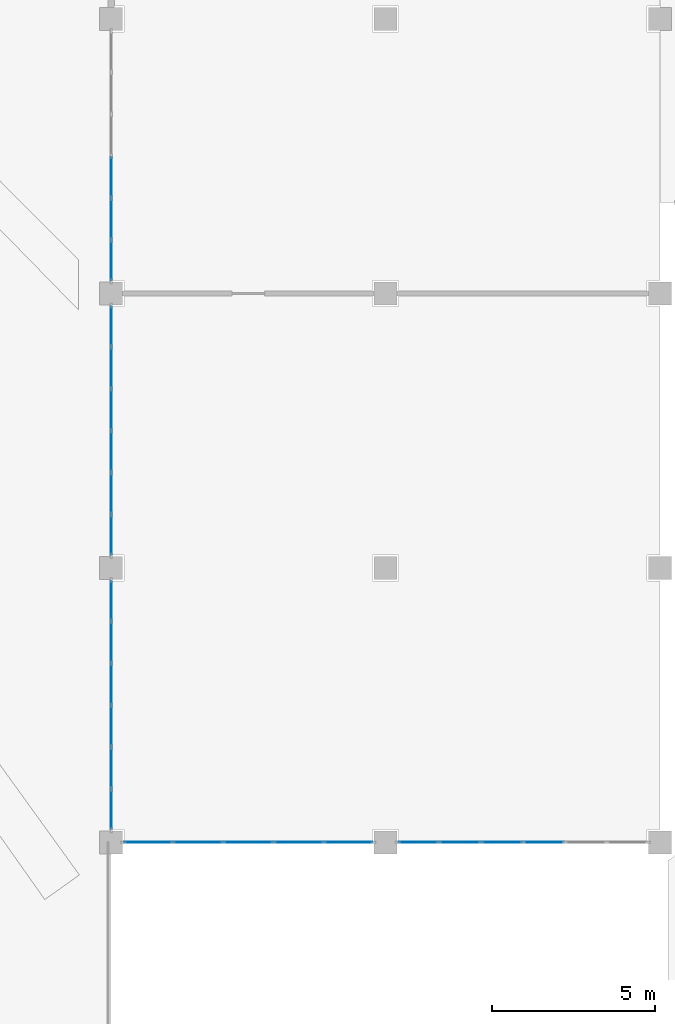
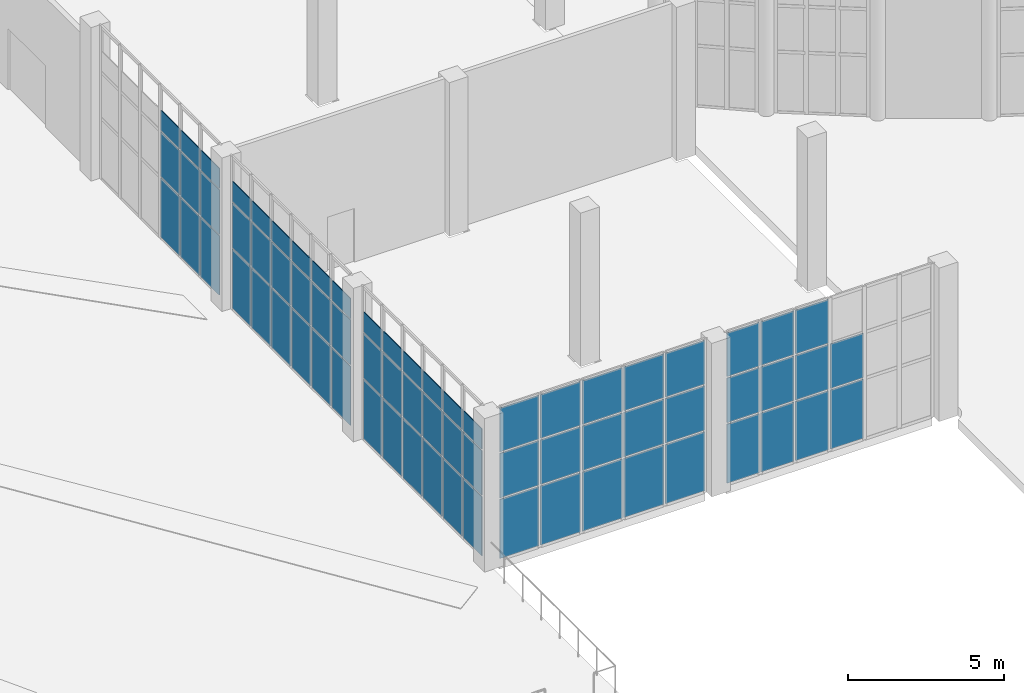
# One storey, part 83 of 210: 71 plates, 5 elements without a shape of their own.
"""IFC4 building model written with IfcOpenShell, lengths in metres."""

from ifc_helpers import new_model, si_unit, direction, frame, origin, origin_2d, place, context, subcontext, project, spatial, rectangle, extrude, material, layer, layer_set, type_object, element, aggregate, save


model = new_model("IFC4")

# Units and contexts
model_context = context("Model", 3, precision=1e-05, world=origin(), true_north=direction((0.0, 1.0)))
body_context = subcontext(model_context, "Body", "Model", "MODEL_VIEW")
ifc_project = project(units=[si_unit("LENGTHUNIT", "METRE"), si_unit("AREAUNIT", "SQUARE_METRE"), si_unit("VOLUMEUNIT", "CUBIC_METRE"), si_unit("PLANEANGLEUNIT", "RADIAN"), si_unit("MASSUNIT", "GRAM", prefix="KILO")], contexts=[model_context])

# Site, building, storey
site_placement = place(None, origin())
site = spatial("IfcSite", under=ifc_project, at=site_placement, CompositionType="ELEMENT")
building_placement = place(site_placement, origin())
building = spatial("IfcBuilding", under=site, at=building_placement, Name="Rain Tree Exposition and Congress Centre", CompositionType="ELEMENT")
storey_placement = place(building_placement, origin())
storey = spatial("IfcBuildingStorey", under=building, at=storey_placement, Name="L00", CompositionType="ELEMENT", Elevation=0.0)

# Curtain wall, plates
ifc_material_1 = material(Name="Aluminium", Category="aluminium")
ifc_layer_1 = layer(ifc_material_1, 0.10009765625)
ifc_layer_set_1 = layer_set([ifc_layer_1], Name="Aluminium")
curtain_wall_type = type_object("IfcCurtainWallType", Name="Curtain wall congress", PredefinedType="NOTDEFINED", material=ifc_layer_set_1)
curtain_wall_1_placement = place(storey_placement, origin())
curtain_wall_1 = element("IfcCurtainWall", 1, at=curtain_wall_1_placement, inside=storey, type_object=curtain_wall_type, Name="Foyer curtain wall L00 bay 1", PredefinedType="NOTDEFINED")
ifc_material_2 = material(Name="Double glazed unit", Category="glass")
ifc_layer_2 = layer(ifc_material_2, 0.028076171875)
ifc_layer_set_2 = layer_set([ifc_layer_2], Name="Double glazed unit")
plate_type = type_object("IfcPlateType", Name="Glazing panel 28 congress", PredefinedType="CURTAIN_PANEL", material=ifc_layer_set_2)
plate_1_placement = place(storey_placement, frame((151.199951171875, 9.40673828125, 0.06005859375), z_axis=(0.0, 0.0, 1.0), x_axis=(0.0, 1.0, 0.0)))
plate_1 = element("IfcPlate", 2, at=plate_1_placement, type_object=plate_type, Name="CWG301 panel 1.1", PredefinedType="CURTAIN_PANEL", context=body_context, shape_type="SweptSolid", body=[
    extrude(rectangle(XDim=1.193359375, YDim=0.028076171875, at=origin_2d()), origin(), (0.0, 0.0, 1.0), 2.31005859375),
])
plate_2_placement = place(storey_placement, frame((151.199951171875, 9.40673828125, 2.43017578125), z_axis=(0.0, 0.0, 1.0), x_axis=(0.0, 1.0, 0.0)))
plate_2 = element("IfcPlate", 3, at=plate_2_placement, type_object=plate_type, Name="CWG301 panel 1.2", PredefinedType="CURTAIN_PANEL", context=body_context, shape_type="SweptSolid", body=[
    extrude(rectangle(XDim=1.193359375, YDim=0.028076171875, at=origin_2d()), origin(), (0.0, 0.0, 1.0), 1.739990234375),
])
plate_3_placement = place(storey_placement, frame((151.199951171875, 9.40673828125, 4.22998046875), z_axis=(0.0, 0.0, 1.0), x_axis=(0.0, 1.0, 0.0)))
plate_3 = element("IfcPlate", 4, at=plate_3_placement, type_object=plate_type, Name="CWG301 panel 1.3", PredefinedType="CURTAIN_PANEL", context=body_context, shape_type="SweptSolid", body=[
    extrude(rectangle(XDim=1.193359375, YDim=0.028076171875, at=origin_2d()), origin(), (0.0, 0.0, 1.0), 0.7900390625),
])
plate_4_placement = place(storey_placement, frame((151.199951171875, 10.675048828125, 0.06005859375), z_axis=(0.0, 0.0, 1.0), x_axis=(0.0, 1.0, 0.0)))
plate_4 = element("IfcPlate", 5, at=plate_4_placement, type_object=plate_type, Name="CWG301 panel 2.1", PredefinedType="CURTAIN_PANEL", context=body_context, shape_type="SweptSolid", body=[
    extrude(rectangle(XDim=1.223388671875, YDim=0.028076171875, at=origin_2d()), origin(), (0.0, 0.0, 1.0), 2.31005859375),
])
plate_5_placement = place(storey_placement, frame((151.199951171875, 10.675048828125, 2.43017578125), z_axis=(0.0, 0.0, 1.0), x_axis=(0.0, 1.0, 0.0)))
plate_5 = element("IfcPlate", 6, at=plate_5_placement, type_object=plate_type, Name="CWG301 panel 2.2", PredefinedType="CURTAIN_PANEL", context=body_context, shape_type="SweptSolid", body=[
    extrude(rectangle(XDim=1.223388671875, YDim=0.028076171875, at=origin_2d()), origin(), (0.0, 0.0, 1.0), 1.739990234375),
])
plate_6_placement = place(storey_placement, frame((151.199951171875, 10.675048828125, 4.22998046875), z_axis=(0.0, 0.0, 1.0), x_axis=(0.0, 1.0, 0.0)))
plate_6 = element("IfcPlate", 7, at=plate_6_placement, type_object=plate_type, Name="CWG301 panel 2.3", PredefinedType="CURTAIN_PANEL", context=body_context, shape_type="SweptSolid", body=[
    extrude(rectangle(XDim=1.223388671875, YDim=0.028076171875, at=origin_2d()), origin(), (0.0, 0.0, 1.0), 0.7900390625),
])
plate_7_placement = place(storey_placement, frame((151.199951171875, 11.958251953125, 0.06005859375), z_axis=(0.0, 0.0, 1.0), x_axis=(0.0, 1.0, 0.0)))
plate_7 = element("IfcPlate", 8, at=plate_7_placement, type_object=plate_type, Name="CWG301 panel 3.1", PredefinedType="CURTAIN_PANEL", context=body_context, shape_type="SweptSolid", body=[
    extrude(rectangle(XDim=1.223388671875, YDim=0.028076171875, at=origin_2d()), origin(), (0.0, 0.0, 1.0), 2.31005859375),
])
plate_8_placement = place(storey_placement, frame((151.199951171875, 11.958251953125, 2.43017578125), z_axis=(0.0, 0.0, 1.0), x_axis=(0.0, 1.0, 0.0)))
plate_8 = element("IfcPlate", 9, at=plate_8_placement, type_object=plate_type, Name="CWG301 panel 3.2", PredefinedType="CURTAIN_PANEL", context=body_context, shape_type="SweptSolid", body=[
    extrude(rectangle(XDim=1.223388671875, YDim=0.028076171875, at=origin_2d()), origin(), (0.0, 0.0, 1.0), 1.739990234375),
])
plate_9_placement = place(storey_placement, frame((151.199951171875, 11.958251953125, 4.22998046875), z_axis=(0.0, 0.0, 1.0), x_axis=(0.0, 1.0, 0.0)))
plate_9 = element("IfcPlate", 10, at=plate_9_placement, type_object=plate_type, Name="CWG301 panel 3.3", PredefinedType="CURTAIN_PANEL", context=body_context, shape_type="SweptSolid", body=[
    extrude(rectangle(XDim=1.223388671875, YDim=0.028076171875, at=origin_2d()), origin(), (0.0, 0.0, 1.0), 0.7900390625),
])
plate_10_placement = place(storey_placement, frame((151.199951171875, 13.24169921875, 0.06005859375), z_axis=(0.0, 0.0, 1.0), x_axis=(0.0, 1.0, 0.0)))
plate_10 = element("IfcPlate", 11, at=plate_10_placement, type_object=plate_type, Name="CWG301 panel 4.1", PredefinedType="CURTAIN_PANEL", context=body_context, shape_type="SweptSolid", body=[
    extrude(rectangle(XDim=1.223388671875, YDim=0.028076171875, at=origin_2d()), origin(), (0.0, 0.0, 1.0), 2.31005859375),
])
plate_11_placement = place(storey_placement, frame((151.199951171875, 13.24169921875, 2.43017578125), z_axis=(0.0, 0.0, 1.0), x_axis=(0.0, 1.0, 0.0)))
plate_11 = element("IfcPlate", 12, at=plate_11_placement, type_object=plate_type, Name="CWG301 panel 4.2", PredefinedType="CURTAIN_PANEL", context=body_context, shape_type="SweptSolid", body=[
    extrude(rectangle(XDim=1.223388671875, YDim=0.028076171875, at=origin_2d()), origin(), (0.0, 0.0, 1.0), 1.739990234375),
])
plate_12_placement = place(storey_placement, frame((151.199951171875, 13.24169921875, 4.22998046875), z_axis=(0.0, 0.0, 1.0), x_axis=(0.0, 1.0, 0.0)))
plate_12 = element("IfcPlate", 13, at=plate_12_placement, type_object=plate_type, Name="CWG301 panel 4.3", PredefinedType="CURTAIN_PANEL", context=body_context, shape_type="SweptSolid", body=[
    extrude(rectangle(XDim=1.223388671875, YDim=0.028076171875, at=origin_2d()), origin(), (0.0, 0.0, 1.0), 0.7900390625),
])
plate_13_placement = place(storey_placement, frame((151.199951171875, 14.52490234375, 0.06005859375), z_axis=(0.0, 0.0, 1.0), x_axis=(0.0, 1.0, 0.0)))
plate_13 = element("IfcPlate", 14, at=plate_13_placement, type_object=plate_type, Name="CWG301 panel 5.1", PredefinedType="CURTAIN_PANEL", context=body_context, shape_type="SweptSolid", body=[
    extrude(rectangle(XDim=1.223388671875, YDim=0.028076171875, at=origin_2d()), origin(), (0.0, 0.0, 1.0), 2.31005859375),
])
plate_14_placement = place(storey_placement, frame((151.199951171875, 14.52490234375, 2.43017578125), z_axis=(0.0, 0.0, 1.0), x_axis=(0.0, 1.0, 0.0)))
plate_14 = element("IfcPlate", 15, at=plate_14_placement, type_object=plate_type, Name="CWG301 panel 5.2", PredefinedType="CURTAIN_PANEL", context=body_context, shape_type="SweptSolid", body=[
    extrude(rectangle(XDim=1.223388671875, YDim=0.028076171875, at=origin_2d()), origin(), (0.0, 0.0, 1.0), 1.739990234375),
])
plate_15_placement = place(storey_placement, frame((151.199951171875, 14.52490234375, 4.22998046875), z_axis=(0.0, 0.0, 1.0), x_axis=(0.0, 1.0, 0.0)))
plate_15 = element("IfcPlate", 16, at=plate_15_placement, type_object=plate_type, Name="CWG301 panel 5.3", PredefinedType="CURTAIN_PANEL", context=body_context, shape_type="SweptSolid", body=[
    extrude(rectangle(XDim=1.223388671875, YDim=0.028076171875, at=origin_2d()), origin(), (0.0, 0.0, 1.0), 0.7900390625),
])
plate_16_placement = place(storey_placement, frame((151.199951171875, 15.793212890625, 0.06005859375), z_axis=(0.0, 0.0, 1.0), x_axis=(0.0, 1.0, 0.0)))
plate_16 = element("IfcPlate", 17, at=plate_16_placement, type_object=plate_type, Name="CWG301 panel 6.1", PredefinedType="CURTAIN_PANEL", context=body_context, shape_type="SweptSolid", body=[
    extrude(rectangle(XDim=1.193359375, YDim=0.028076171875, at=origin_2d()), origin(), (0.0, 0.0, 1.0), 2.31005859375),
])
plate_17_placement = place(storey_placement, frame((151.199951171875, 15.793212890625, 2.43017578125), z_axis=(0.0, 0.0, 1.0), x_axis=(0.0, 1.0, 0.0)))
plate_17 = element("IfcPlate", 18, at=plate_17_placement, type_object=plate_type, Name="CWG301 panel 6.2", PredefinedType="CURTAIN_PANEL", context=body_context, shape_type="SweptSolid", body=[
    extrude(rectangle(XDim=1.193359375, YDim=0.028076171875, at=origin_2d()), origin(), (0.0, 0.0, 1.0), 1.739990234375),
])
plate_18_placement = place(storey_placement, frame((151.199951171875, 15.793212890625, 4.22998046875), z_axis=(0.0, 0.0, 1.0), x_axis=(0.0, 1.0, 0.0)))
plate_18 = element("IfcPlate", 19, at=plate_18_placement, type_object=plate_type, Name="CWG301 panel 6.3", PredefinedType="CURTAIN_PANEL", context=body_context, shape_type="SweptSolid", body=[
    extrude(rectangle(XDim=1.193359375, YDim=0.028076171875, at=origin_2d()), origin(), (0.0, 0.0, 1.0), 0.7900390625),
])
aggregate(curtain_wall_1, [plate_1, plate_2, plate_3, plate_4, plate_5, plate_6, plate_7, plate_8, plate_9, plate_10, plate_11, plate_12, plate_13, plate_14, plate_15, plate_16, plate_17, plate_18])

curtain_wall_2_placement = place(storey_placement, origin())
curtain_wall_2 = element("IfcCurtainWall", 20, at=curtain_wall_2_placement, inside=storey, type_object=curtain_wall_type, Name="Foyer curtain wall L00 bay 2", PredefinedType="NOTDEFINED")
plate_19_placement = place(storey_placement, frame((151.199951171875, 17.806640625, 0.06005859375), z_axis=(0.0, 0.0, 1.0), x_axis=(0.0, 1.0, 0.0)))
plate_19 = element("IfcPlate", 21, at=plate_19_placement, type_object=plate_type, Name="CWG302 panel 1.1", PredefinedType="CURTAIN_PANEL", context=body_context, shape_type="SweptSolid", body=[
    extrude(rectangle(XDim=1.193359375, YDim=0.028076171875, at=origin_2d()), origin(), (0.0, 0.0, 1.0), 2.31005859375),
])
plate_20_placement = place(storey_placement, frame((151.199951171875, 17.806640625, 2.43017578125), z_axis=(0.0, 0.0, 1.0), x_axis=(0.0, 1.0, 0.0)))
plate_20 = element("IfcPlate", 22, at=plate_20_placement, type_object=plate_type, Name="CWG302 panel 1.2", PredefinedType="CURTAIN_PANEL", context=body_context, shape_type="SweptSolid", body=[
    extrude(rectangle(XDim=1.193359375, YDim=0.028076171875, at=origin_2d()), origin(), (0.0, 0.0, 1.0), 1.739990234375),
])
plate_21_placement = place(storey_placement, frame((151.199951171875, 17.806640625, 4.22998046875), z_axis=(0.0, 0.0, 1.0), x_axis=(0.0, 1.0, 0.0)))
plate_21 = element("IfcPlate", 23, at=plate_21_placement, type_object=plate_type, Name="CWG302 panel 1.3", PredefinedType="CURTAIN_PANEL", context=body_context, shape_type="SweptSolid", body=[
    extrude(rectangle(XDim=1.193359375, YDim=0.028076171875, at=origin_2d()), origin(), (0.0, 0.0, 1.0), 0.7900390625),
])
plate_22_placement = place(storey_placement, frame((151.199951171875, 19.074951171875, 0.06005859375), z_axis=(0.0, 0.0, 1.0), x_axis=(0.0, 1.0, 0.0)))
plate_22 = element("IfcPlate", 24, at=plate_22_placement, type_object=plate_type, Name="CWG302 panel 2.1", PredefinedType="CURTAIN_PANEL", context=body_context, shape_type="SweptSolid", body=[
    extrude(rectangle(XDim=1.223388671875, YDim=0.028076171875, at=origin_2d()), origin(), (0.0, 0.0, 1.0), 2.31005859375),
])
plate_23_placement = place(storey_placement, frame((151.199951171875, 19.074951171875, 2.43017578125), z_axis=(0.0, 0.0, 1.0), x_axis=(0.0, 1.0, 0.0)))
plate_23 = element("IfcPlate", 25, at=plate_23_placement, type_object=plate_type, Name="CWG302 panel 2.2", PredefinedType="CURTAIN_PANEL", context=body_context, shape_type="SweptSolid", body=[
    extrude(rectangle(XDim=1.223388671875, YDim=0.028076171875, at=origin_2d()), origin(), (0.0, 0.0, 1.0), 1.739990234375),
])
plate_24_placement = place(storey_placement, frame((151.199951171875, 19.074951171875, 4.22998046875), z_axis=(0.0, 0.0, 1.0), x_axis=(0.0, 1.0, 0.0)))
plate_24 = element("IfcPlate", 26, at=plate_24_placement, type_object=plate_type, Name="CWG302 panel 2.3", PredefinedType="CURTAIN_PANEL", context=body_context, shape_type="SweptSolid", body=[
    extrude(rectangle(XDim=1.223388671875, YDim=0.028076171875, at=origin_2d()), origin(), (0.0, 0.0, 1.0), 0.7900390625),
])
plate_25_placement = place(storey_placement, frame((151.199951171875, 20.3583984375, 0.06005859375), z_axis=(0.0, 0.0, 1.0), x_axis=(0.0, 1.0, 0.0)))
plate_25 = element("IfcPlate", 27, at=plate_25_placement, type_object=plate_type, Name="CWG302 panel 3.1", PredefinedType="CURTAIN_PANEL", context=body_context, shape_type="SweptSolid", body=[
    extrude(rectangle(XDim=1.223388671875, YDim=0.028076171875, at=origin_2d()), origin(), (0.0, 0.0, 1.0), 2.31005859375),
])
plate_26_placement = place(storey_placement, frame((151.199951171875, 20.3583984375, 2.43017578125), z_axis=(0.0, 0.0, 1.0), x_axis=(0.0, 1.0, 0.0)))
plate_26 = element("IfcPlate", 28, at=plate_26_placement, type_object=plate_type, Name="CWG302 panel 3.2", PredefinedType="CURTAIN_PANEL", context=body_context, shape_type="SweptSolid", body=[
    extrude(rectangle(XDim=1.223388671875, YDim=0.028076171875, at=origin_2d()), origin(), (0.0, 0.0, 1.0), 1.739990234375),
])
plate_27_placement = place(storey_placement, frame((151.199951171875, 20.3583984375, 4.22998046875), z_axis=(0.0, 0.0, 1.0), x_axis=(0.0, 1.0, 0.0)))
plate_27 = element("IfcPlate", 29, at=plate_27_placement, type_object=plate_type, Name="CWG302 panel 3.3", PredefinedType="CURTAIN_PANEL", context=body_context, shape_type="SweptSolid", body=[
    extrude(rectangle(XDim=1.223388671875, YDim=0.028076171875, at=origin_2d()), origin(), (0.0, 0.0, 1.0), 0.7900390625),
])
plate_28_placement = place(storey_placement, frame((151.199951171875, 21.6416015625, 0.06005859375), z_axis=(0.0, 0.0, 1.0), x_axis=(0.0, 1.0, 0.0)))
plate_28 = element("IfcPlate", 30, at=plate_28_placement, type_object=plate_type, Name="CWG302 panel 4.1", PredefinedType="CURTAIN_PANEL", context=body_context, shape_type="SweptSolid", body=[
    extrude(rectangle(XDim=1.223388671875, YDim=0.028076171875, at=origin_2d()), origin(), (0.0, 0.0, 1.0), 2.31005859375),
])
plate_29_placement = place(storey_placement, frame((151.199951171875, 21.6416015625, 2.43017578125), z_axis=(0.0, 0.0, 1.0), x_axis=(0.0, 1.0, 0.0)))
plate_29 = element("IfcPlate", 31, at=plate_29_placement, type_object=plate_type, Name="CWG302 panel 4.2", PredefinedType="CURTAIN_PANEL", context=body_context, shape_type="SweptSolid", body=[
    extrude(rectangle(XDim=1.223388671875, YDim=0.028076171875, at=origin_2d()), origin(), (0.0, 0.0, 1.0), 1.739990234375),
])
plate_30_placement = place(storey_placement, frame((151.199951171875, 21.6416015625, 4.22998046875), z_axis=(0.0, 0.0, 1.0), x_axis=(0.0, 1.0, 0.0)))
plate_30 = element("IfcPlate", 32, at=plate_30_placement, type_object=plate_type, Name="CWG302 panel 4.3", PredefinedType="CURTAIN_PANEL", context=body_context, shape_type="SweptSolid", body=[
    extrude(rectangle(XDim=1.223388671875, YDim=0.028076171875, at=origin_2d()), origin(), (0.0, 0.0, 1.0), 0.7900390625),
])
plate_31_placement = place(storey_placement, frame((151.199951171875, 22.925048828125, 0.06005859375), z_axis=(0.0, 0.0, 1.0), x_axis=(0.0, 1.0, 0.0)))
plate_31 = element("IfcPlate", 33, at=plate_31_placement, type_object=plate_type, Name="CWG302 panel 5.1", PredefinedType="CURTAIN_PANEL", context=body_context, shape_type="SweptSolid", body=[
    extrude(rectangle(XDim=1.223388671875, YDim=0.028076171875, at=origin_2d()), origin(), (0.0, 0.0, 1.0), 2.31005859375),
])
plate_32_placement = place(storey_placement, frame((151.199951171875, 22.925048828125, 2.43017578125), z_axis=(0.0, 0.0, 1.0), x_axis=(0.0, 1.0, 0.0)))
plate_32 = element("IfcPlate", 34, at=plate_32_placement, type_object=plate_type, Name="CWG302 panel 5.2", PredefinedType="CURTAIN_PANEL", context=body_context, shape_type="SweptSolid", body=[
    extrude(rectangle(XDim=1.223388671875, YDim=0.028076171875, at=origin_2d()), origin(), (0.0, 0.0, 1.0), 1.739990234375),
])
plate_33_placement = place(storey_placement, frame((151.199951171875, 22.925048828125, 4.22998046875), z_axis=(0.0, 0.0, 1.0), x_axis=(0.0, 1.0, 0.0)))
plate_33 = element("IfcPlate", 35, at=plate_33_placement, type_object=plate_type, Name="CWG302 panel 5.3", PredefinedType="CURTAIN_PANEL", context=body_context, shape_type="SweptSolid", body=[
    extrude(rectangle(XDim=1.223388671875, YDim=0.028076171875, at=origin_2d()), origin(), (0.0, 0.0, 1.0), 0.7900390625),
])
plate_34_placement = place(storey_placement, frame((151.199951171875, 24.193359375, 0.06005859375), z_axis=(0.0, 0.0, 1.0), x_axis=(0.0, 1.0, 0.0)))
plate_34 = element("IfcPlate", 36, at=plate_34_placement, type_object=plate_type, Name="CWG302 panel 6.1", PredefinedType="CURTAIN_PANEL", context=body_context, shape_type="SweptSolid", body=[
    extrude(rectangle(XDim=1.193359375, YDim=0.028076171875, at=origin_2d()), origin(), (0.0, 0.0, 1.0), 2.31005859375),
])
plate_35_placement = place(storey_placement, frame((151.199951171875, 24.193359375, 2.43017578125), z_axis=(0.0, 0.0, 1.0), x_axis=(0.0, 1.0, 0.0)))
plate_35 = element("IfcPlate", 37, at=plate_35_placement, type_object=plate_type, Name="CWG302 panel 6.2", PredefinedType="CURTAIN_PANEL", context=body_context, shape_type="SweptSolid", body=[
    extrude(rectangle(XDim=1.193359375, YDim=0.028076171875, at=origin_2d()), origin(), (0.0, 0.0, 1.0), 1.739990234375),
])
plate_36_placement = place(storey_placement, frame((151.199951171875, 24.193359375, 4.22998046875), z_axis=(0.0, 0.0, 1.0), x_axis=(0.0, 1.0, 0.0)))
plate_36 = element("IfcPlate", 38, at=plate_36_placement, type_object=plate_type, Name="CWG302 panel 6.3", PredefinedType="CURTAIN_PANEL", context=body_context, shape_type="SweptSolid", body=[
    extrude(rectangle(XDim=1.193359375, YDim=0.028076171875, at=origin_2d()), origin(), (0.0, 0.0, 1.0), 0.7900390625),
])
aggregate(curtain_wall_2, [plate_19, plate_20, plate_21, plate_22, plate_23, plate_24, plate_25, plate_26, plate_27, plate_28, plate_29, plate_30, plate_31, plate_32, plate_33, plate_34, plate_35, plate_36])

curtain_wall_3_placement = place(storey_placement, origin())
curtain_wall_3 = element("IfcCurtainWall", 39, at=curtain_wall_3_placement, inside=storey, type_object=curtain_wall_type, Name="Foyer curtain wall L00 bay 3", PredefinedType="NOTDEFINED")
plate_37_placement = place(storey_placement, frame((151.199951171875, 26.206787109375, 0.06005859375), z_axis=(0.0, 0.0, 1.0), x_axis=(0.0, 1.0, 0.0)))
plate_37 = element("IfcPlate", 40, at=plate_37_placement, type_object=plate_type, Name="CWG303 panel 1.1", PredefinedType="CURTAIN_PANEL", context=body_context, shape_type="SweptSolid", body=[
    extrude(rectangle(XDim=1.193359375, YDim=0.028076171875, at=origin_2d()), origin(), (0.0, 0.0, 1.0), 2.31005859375),
])
plate_38_placement = place(storey_placement, frame((151.199951171875, 26.206787109375, 2.43017578125), z_axis=(0.0, 0.0, 1.0), x_axis=(0.0, 1.0, 0.0)))
plate_38 = element("IfcPlate", 41, at=plate_38_placement, type_object=plate_type, Name="CWG303 panel 1.2", PredefinedType="CURTAIN_PANEL", context=body_context, shape_type="SweptSolid", body=[
    extrude(rectangle(XDim=1.193359375, YDim=0.028076171875, at=origin_2d()), origin(), (0.0, 0.0, 1.0), 1.739990234375),
])
plate_39_placement = place(storey_placement, frame((151.199951171875, 26.206787109375, 4.22998046875), z_axis=(0.0, 0.0, 1.0), x_axis=(0.0, 1.0, 0.0)))
plate_39 = element("IfcPlate", 42, at=plate_39_placement, type_object=plate_type, Name="CWG303 panel 1.3", PredefinedType="CURTAIN_PANEL", context=body_context, shape_type="SweptSolid", body=[
    extrude(rectangle(XDim=1.193359375, YDim=0.028076171875, at=origin_2d()), origin(), (0.0, 0.0, 1.0), 0.7900390625),
])
plate_40_placement = place(storey_placement, frame((151.199951171875, 27.47509765625, 0.06005859375), z_axis=(0.0, 0.0, 1.0), x_axis=(0.0, 1.0, 0.0)))
plate_40 = element("IfcPlate", 43, at=plate_40_placement, type_object=plate_type, Name="CWG303 panel 2.1", PredefinedType="CURTAIN_PANEL", context=body_context, shape_type="SweptSolid", body=[
    extrude(rectangle(XDim=1.223388671875, YDim=0.028076171875, at=origin_2d()), origin(), (0.0, 0.0, 1.0), 2.31005859375),
])
plate_41_placement = place(storey_placement, frame((151.199951171875, 27.47509765625, 2.43017578125), z_axis=(0.0, 0.0, 1.0), x_axis=(0.0, 1.0, 0.0)))
plate_41 = element("IfcPlate", 44, at=plate_41_placement, type_object=plate_type, Name="CWG303 panel 2.2", PredefinedType="CURTAIN_PANEL", context=body_context, shape_type="SweptSolid", body=[
    extrude(rectangle(XDim=1.223388671875, YDim=0.028076171875, at=origin_2d()), origin(), (0.0, 0.0, 1.0), 1.739990234375),
])
plate_42_placement = place(storey_placement, frame((151.199951171875, 27.47509765625, 4.22998046875), z_axis=(0.0, 0.0, 1.0), x_axis=(0.0, 1.0, 0.0)))
plate_42 = element("IfcPlate", 45, at=plate_42_placement, type_object=plate_type, Name="CWG303 panel 2.3", PredefinedType="CURTAIN_PANEL", context=body_context, shape_type="SweptSolid", body=[
    extrude(rectangle(XDim=1.223388671875, YDim=0.028076171875, at=origin_2d()), origin(), (0.0, 0.0, 1.0), 0.7900390625),
])
plate_43_placement = place(storey_placement, frame((151.199951171875, 28.75830078125, 0.06005859375), z_axis=(0.0, 0.0, 1.0), x_axis=(0.0, 1.0, 0.0)))
plate_43 = element("IfcPlate", 46, at=plate_43_placement, type_object=plate_type, Name="CWG303 panel 3.1", PredefinedType="CURTAIN_PANEL", context=body_context, shape_type="SweptSolid", body=[
    extrude(rectangle(XDim=1.223388671875, YDim=0.028076171875, at=origin_2d()), origin(), (0.0, 0.0, 1.0), 2.31005859375),
])
plate_44_placement = place(storey_placement, frame((151.199951171875, 28.75830078125, 2.43017578125), z_axis=(0.0, 0.0, 1.0), x_axis=(0.0, 1.0, 0.0)))
plate_44 = element("IfcPlate", 47, at=plate_44_placement, type_object=plate_type, Name="CWG303 panel 3.2", PredefinedType="CURTAIN_PANEL", context=body_context, shape_type="SweptSolid", body=[
    extrude(rectangle(XDim=1.223388671875, YDim=0.028076171875, at=origin_2d()), origin(), (0.0, 0.0, 1.0), 1.739990234375),
])
plate_45_placement = place(storey_placement, frame((151.199951171875, 28.75830078125, 4.22998046875), z_axis=(0.0, 0.0, 1.0), x_axis=(0.0, 1.0, 0.0)))
plate_45 = element("IfcPlate", 48, at=plate_45_placement, type_object=plate_type, Name="CWG303 panel 3.3", PredefinedType="CURTAIN_PANEL", context=body_context, shape_type="SweptSolid", body=[
    extrude(rectangle(XDim=1.223388671875, YDim=0.028076171875, at=origin_2d()), origin(), (0.0, 0.0, 1.0), 0.7900390625),
])
aggregate(curtain_wall_3, [plate_37, plate_38, plate_39, plate_40, plate_41, plate_42, plate_43, plate_44, plate_45])

curtain_wall_4_placement = place(storey_placement, origin())
curtain_wall_4 = element("IfcCurtainWall", 49, at=curtain_wall_4_placement, inside=storey, type_object=curtain_wall_type, Name="Foyer south curtain wall L00 bay 1", PredefinedType="NOTDEFINED")
plate_46_placement = place(storey_placement, frame((152.3349609375, 8.39990234375, 0.06005859375), z_axis=(0.0, 0.0, 1.0), x_axis=(1.0, 0.0, 0.0)))
plate_46 = element("IfcPlate", 50, at=plate_46_placement, type_object=plate_type, Name="CWG501 panel 1.1", PredefinedType="CURTAIN_PANEL", context=body_context, shape_type="SweptSolid", body=[
    extrude(rectangle(XDim=1.449951171875, YDim=0.028076171875, at=origin_2d()), origin(), (0.0, 0.0, 1.0), 2.31005859375),
])
plate_47_placement = place(storey_placement, frame((152.3349609375, 8.39990234375, 2.43017578125), z_axis=(0.0, 0.0, 1.0), x_axis=(1.0, 0.0, 0.0)))
plate_47 = element("IfcPlate", 51, at=plate_47_placement, type_object=plate_type, Name="CWG501 panel 1.2", PredefinedType="CURTAIN_PANEL", context=body_context, shape_type="SweptSolid", body=[
    extrude(rectangle(XDim=1.449951171875, YDim=0.028076171875, at=origin_2d()), origin(), (0.0, 0.0, 1.0), 1.739990234375),
])
plate_48_placement = place(storey_placement, frame((152.3349609375, 8.39990234375, 4.22998046875), z_axis=(0.0, 0.0, 1.0), x_axis=(1.0, 0.0, 0.0)))
plate_48 = element("IfcPlate", 52, at=plate_48_placement, type_object=plate_type, Name="CWG501 panel 1.3", PredefinedType="CURTAIN_PANEL", context=body_context, shape_type="SweptSolid", body=[
    extrude(rectangle(XDim=1.449951171875, YDim=0.028076171875, at=origin_2d()), origin(), (0.0, 0.0, 1.0), 1.7099609375),
])
plate_49_placement = place(storey_placement, frame((153.860107421875, 8.39990234375, 0.06005859375), z_axis=(0.0, 0.0, 1.0), x_axis=(1.0, 0.0, 0.0)))
plate_49 = element("IfcPlate", 53, at=plate_49_placement, type_object=plate_type, Name="CWG501 panel 2.1", PredefinedType="CURTAIN_PANEL", context=body_context, shape_type="SweptSolid", body=[
    extrude(rectangle(XDim=1.47998046875, YDim=0.028076171875, at=origin_2d()), origin(), (0.0, 0.0, 1.0), 2.31005859375),
])
plate_50_placement = place(storey_placement, frame((153.860107421875, 8.39990234375, 2.43017578125), z_axis=(0.0, 0.0, 1.0), x_axis=(1.0, 0.0, 0.0)))
plate_50 = element("IfcPlate", 54, at=plate_50_placement, type_object=plate_type, Name="CWG501 panel 2.2", PredefinedType="CURTAIN_PANEL", context=body_context, shape_type="SweptSolid", body=[
    extrude(rectangle(XDim=1.47998046875, YDim=0.028076171875, at=origin_2d()), origin(), (0.0, 0.0, 1.0), 1.739990234375),
])
plate_51_placement = place(storey_placement, frame((153.860107421875, 8.39990234375, 4.22998046875), z_axis=(0.0, 0.0, 1.0), x_axis=(1.0, 0.0, 0.0)))
plate_51 = element("IfcPlate", 55, at=plate_51_placement, type_object=plate_type, Name="CWG501 panel 2.3", PredefinedType="CURTAIN_PANEL", context=body_context, shape_type="SweptSolid", body=[
    extrude(rectangle(XDim=1.47998046875, YDim=0.028076171875, at=origin_2d()), origin(), (0.0, 0.0, 1.0), 1.7099609375),
])
plate_52_placement = place(storey_placement, frame((155.39990234375, 8.39990234375, 0.06005859375), z_axis=(0.0, 0.0, 1.0), x_axis=(1.0, 0.0, 0.0)))
plate_52 = element("IfcPlate", 56, at=plate_52_placement, type_object=plate_type, Name="CWG501 panel 3.1", PredefinedType="CURTAIN_PANEL", context=body_context, shape_type="SweptSolid", body=[
    extrude(rectangle(XDim=1.47998046875, YDim=0.028076171875, at=origin_2d()), origin(), (0.0, 0.0, 1.0), 2.31005859375),
])
plate_53_placement = place(storey_placement, frame((155.39990234375, 8.39990234375, 2.43017578125), z_axis=(0.0, 0.0, 1.0), x_axis=(1.0, 0.0, 0.0)))
plate_53 = element("IfcPlate", 57, at=plate_53_placement, type_object=plate_type, Name="CWG501 panel 3.2", PredefinedType="CURTAIN_PANEL", context=body_context, shape_type="SweptSolid", body=[
    extrude(rectangle(XDim=1.47998046875, YDim=0.028076171875, at=origin_2d()), origin(), (0.0, 0.0, 1.0), 1.739990234375),
])
plate_54_placement = place(storey_placement, frame((155.39990234375, 8.39990234375, 4.22998046875), z_axis=(0.0, 0.0, 1.0), x_axis=(1.0, 0.0, 0.0)))
plate_54 = element("IfcPlate", 58, at=plate_54_placement, type_object=plate_type, Name="CWG501 panel 3.3", PredefinedType="CURTAIN_PANEL", context=body_context, shape_type="SweptSolid", body=[
    extrude(rectangle(XDim=1.47998046875, YDim=0.028076171875, at=origin_2d()), origin(), (0.0, 0.0, 1.0), 1.7099609375),
])
plate_55_placement = place(storey_placement, frame((156.93994140625, 8.39990234375, 0.06005859375), z_axis=(0.0, 0.0, 1.0), x_axis=(1.0, 0.0, 0.0)))
plate_55 = element("IfcPlate", 59, at=plate_55_placement, type_object=plate_type, Name="CWG501 panel 4.1", PredefinedType="CURTAIN_PANEL", context=body_context, shape_type="SweptSolid", body=[
    extrude(rectangle(XDim=1.47998046875, YDim=0.028076171875, at=origin_2d()), origin(), (0.0, 0.0, 1.0), 2.31005859375),
])
plate_56_placement = place(storey_placement, frame((156.93994140625, 8.39990234375, 2.43017578125), z_axis=(0.0, 0.0, 1.0), x_axis=(1.0, 0.0, 0.0)))
plate_56 = element("IfcPlate", 60, at=plate_56_placement, type_object=plate_type, Name="CWG501 panel 4.2", PredefinedType="CURTAIN_PANEL", context=body_context, shape_type="SweptSolid", body=[
    extrude(rectangle(XDim=1.47998046875, YDim=0.028076171875, at=origin_2d()), origin(), (0.0, 0.0, 1.0), 1.739990234375),
])
plate_57_placement = place(storey_placement, frame((156.93994140625, 8.39990234375, 4.22998046875), z_axis=(0.0, 0.0, 1.0), x_axis=(1.0, 0.0, 0.0)))
plate_57 = element("IfcPlate", 61, at=plate_57_placement, type_object=plate_type, Name="CWG501 panel 4.3", PredefinedType="CURTAIN_PANEL", context=body_context, shape_type="SweptSolid", body=[
    extrude(rectangle(XDim=1.47998046875, YDim=0.028076171875, at=origin_2d()), origin(), (0.0, 0.0, 1.0), 1.7099609375),
])
plate_58_placement = place(storey_placement, frame((158.465087890625, 8.39990234375, 0.06005859375), z_axis=(0.0, 0.0, 1.0), x_axis=(1.0, 0.0, 0.0)))
plate_58 = element("IfcPlate", 62, at=plate_58_placement, type_object=plate_type, Name="CWG501 panel 5.1", PredefinedType="CURTAIN_PANEL", context=body_context, shape_type="SweptSolid", body=[
    extrude(rectangle(XDim=1.449951171875, YDim=0.028076171875, at=origin_2d()), origin(), (0.0, 0.0, 1.0), 2.31005859375),
])
plate_59_placement = place(storey_placement, frame((158.465087890625, 8.39990234375, 2.43017578125), z_axis=(0.0, 0.0, 1.0), x_axis=(1.0, 0.0, 0.0)))
plate_59 = element("IfcPlate", 63, at=plate_59_placement, type_object=plate_type, Name="CWG501 panel 5.2", PredefinedType="CURTAIN_PANEL", context=body_context, shape_type="SweptSolid", body=[
    extrude(rectangle(XDim=1.449951171875, YDim=0.028076171875, at=origin_2d()), origin(), (0.0, 0.0, 1.0), 1.739990234375),
])
plate_60_placement = place(storey_placement, frame((158.465087890625, 8.39990234375, 4.22998046875), z_axis=(0.0, 0.0, 1.0), x_axis=(1.0, 0.0, 0.0)))
plate_60 = element("IfcPlate", 64, at=plate_60_placement, type_object=plate_type, Name="CWG501 panel 5.3", PredefinedType="CURTAIN_PANEL", context=body_context, shape_type="SweptSolid", body=[
    extrude(rectangle(XDim=1.449951171875, YDim=0.028076171875, at=origin_2d()), origin(), (0.0, 0.0, 1.0), 1.7099609375),
])
aggregate(curtain_wall_4, [plate_46, plate_47, plate_48, plate_49, plate_50, plate_51, plate_52, plate_53, plate_54, plate_55, plate_56, plate_57, plate_58, plate_59, plate_60])

curtain_wall_5_placement = place(storey_placement, origin())
curtain_wall_5 = element("IfcCurtainWall", 65, at=curtain_wall_5_placement, inside=storey, type_object=curtain_wall_type, Name="Foyer south curtain wall L00 bay 2", PredefinedType="NOTDEFINED")
plate_61_placement = place(storey_placement, frame((160.606689453125, 8.39990234375, 0.06005859375), z_axis=(0.0, 0.0, 1.0), x_axis=(1.0, 0.0, 0.0)))
plate_61 = element("IfcPlate", 66, at=plate_61_placement, type_object=plate_type, Name="CWG502 panel 1.1", PredefinedType="CURTAIN_PANEL", context=body_context, shape_type="SweptSolid", body=[
    extrude(rectangle(XDim=1.193359375, YDim=0.028076171875, at=origin_2d()), origin(), (0.0, 0.0, 1.0), 2.31005859375),
])
plate_62_placement = place(storey_placement, frame((160.606689453125, 8.39990234375, 2.43017578125), z_axis=(0.0, 0.0, 1.0), x_axis=(1.0, 0.0, 0.0)))
plate_62 = element("IfcPlate", 67, at=plate_62_placement, type_object=plate_type, Name="CWG502 panel 1.2", PredefinedType="CURTAIN_PANEL", context=body_context, shape_type="SweptSolid", body=[
    extrude(rectangle(XDim=1.193359375, YDim=0.028076171875, at=origin_2d()), origin(), (0.0, 0.0, 1.0), 1.739990234375),
])
plate_63_placement = place(storey_placement, frame((160.606689453125, 8.39990234375, 4.22998046875), z_axis=(0.0, 0.0, 1.0), x_axis=(1.0, 0.0, 0.0)))
plate_63 = element("IfcPlate", 68, at=plate_63_placement, type_object=plate_type, Name="CWG502 panel 1.3", PredefinedType="CURTAIN_PANEL", context=body_context, shape_type="SweptSolid", body=[
    extrude(rectangle(XDim=1.193359375, YDim=0.028076171875, at=origin_2d()), origin(), (0.0, 0.0, 1.0), 1.7099609375),
])
plate_64_placement = place(storey_placement, frame((161.875, 8.39990234375, 0.06005859375), z_axis=(0.0, 0.0, 1.0), x_axis=(1.0, 0.0, 0.0)))
plate_64 = element("IfcPlate", 69, at=plate_64_placement, type_object=plate_type, Name="CWG502 panel 2.1", PredefinedType="CURTAIN_PANEL", context=body_context, shape_type="SweptSolid", body=[
    extrude(rectangle(XDim=1.223388671875, YDim=0.028076171875, at=origin_2d()), origin(), (0.0, 0.0, 1.0), 2.31005859375),
])
plate_65_placement = place(storey_placement, frame((161.875, 8.39990234375, 2.43017578125), z_axis=(0.0, 0.0, 1.0), x_axis=(1.0, 0.0, 0.0)))
plate_65 = element("IfcPlate", 70, at=plate_65_placement, type_object=plate_type, Name="CWG502 panel 2.2", PredefinedType="CURTAIN_PANEL", context=body_context, shape_type="SweptSolid", body=[
    extrude(rectangle(XDim=1.223388671875, YDim=0.028076171875, at=origin_2d()), origin(), (0.0, 0.0, 1.0), 1.739990234375),
])
plate_66_placement = place(storey_placement, frame((161.875, 8.39990234375, 4.22998046875), z_axis=(0.0, 0.0, 1.0), x_axis=(1.0, 0.0, 0.0)))
plate_66 = element("IfcPlate", 71, at=plate_66_placement, type_object=plate_type, Name="CWG502 panel 2.3", PredefinedType="CURTAIN_PANEL", context=body_context, shape_type="SweptSolid", body=[
    extrude(rectangle(XDim=1.223388671875, YDim=0.028076171875, at=origin_2d()), origin(), (0.0, 0.0, 1.0), 1.7099609375),
])
plate_67_placement = place(storey_placement, frame((163.158447265625, 8.39990234375, 0.06005859375), z_axis=(0.0, 0.0, 1.0), x_axis=(1.0, 0.0, 0.0)))
plate_67 = element("IfcPlate", 72, at=plate_67_placement, type_object=plate_type, Name="CWG502 panel 3.1", PredefinedType="CURTAIN_PANEL", context=body_context, shape_type="SweptSolid", body=[
    extrude(rectangle(XDim=1.223388671875, YDim=0.028076171875, at=origin_2d()), origin(), (0.0, 0.0, 1.0), 2.31005859375),
])
plate_68_placement = place(storey_placement, frame((163.158447265625, 8.39990234375, 2.43017578125), z_axis=(0.0, 0.0, 1.0), x_axis=(1.0, 0.0, 0.0)))
plate_68 = element("IfcPlate", 73, at=plate_68_placement, type_object=plate_type, Name="CWG502 panel 3.2", PredefinedType="CURTAIN_PANEL", context=body_context, shape_type="SweptSolid", body=[
    extrude(rectangle(XDim=1.223388671875, YDim=0.028076171875, at=origin_2d()), origin(), (0.0, 0.0, 1.0), 1.739990234375),
])
plate_69_placement = place(storey_placement, frame((163.158447265625, 8.39990234375, 4.22998046875), z_axis=(0.0, 0.0, 1.0), x_axis=(1.0, 0.0, 0.0)))
plate_69 = element("IfcPlate", 74, at=plate_69_placement, type_object=plate_type, Name="CWG502 panel 3.3", PredefinedType="CURTAIN_PANEL", context=body_context, shape_type="SweptSolid", body=[
    extrude(rectangle(XDim=1.223388671875, YDim=0.028076171875, at=origin_2d()), origin(), (0.0, 0.0, 1.0), 1.7099609375),
])
plate_70_placement = place(storey_placement, frame((164.441650390625, 8.39990234375, 0.06005859375), z_axis=(0.0, 0.0, 1.0), x_axis=(1.0, 0.0, 0.0)))
plate_70 = element("IfcPlate", 75, at=plate_70_placement, type_object=plate_type, Name="CWG502 panel 4.1", PredefinedType="CURTAIN_PANEL", context=body_context, shape_type="SweptSolid", body=[
    extrude(rectangle(XDim=1.223388671875, YDim=0.028076171875, at=origin_2d()), origin(), (0.0, 0.0, 1.0), 2.31005859375),
])
plate_71_placement = place(storey_placement, frame((164.441650390625, 8.39990234375, 2.43017578125), z_axis=(0.0, 0.0, 1.0), x_axis=(1.0, 0.0, 0.0)))
plate_71 = element("IfcPlate", 76, at=plate_71_placement, type_object=plate_type, Name="CWG502 panel 4.2", PredefinedType="CURTAIN_PANEL", context=body_context, shape_type="SweptSolid", body=[
    extrude(rectangle(XDim=1.223388671875, YDim=0.028076171875, at=origin_2d()), origin(), (0.0, 0.0, 1.0), 1.739990234375),
])
aggregate(curtain_wall_5, [plate_61, plate_62, plate_63, plate_64, plate_65, plate_66, plate_67, plate_68, plate_69, plate_70, plate_71])

save(model, "model.ifc")
